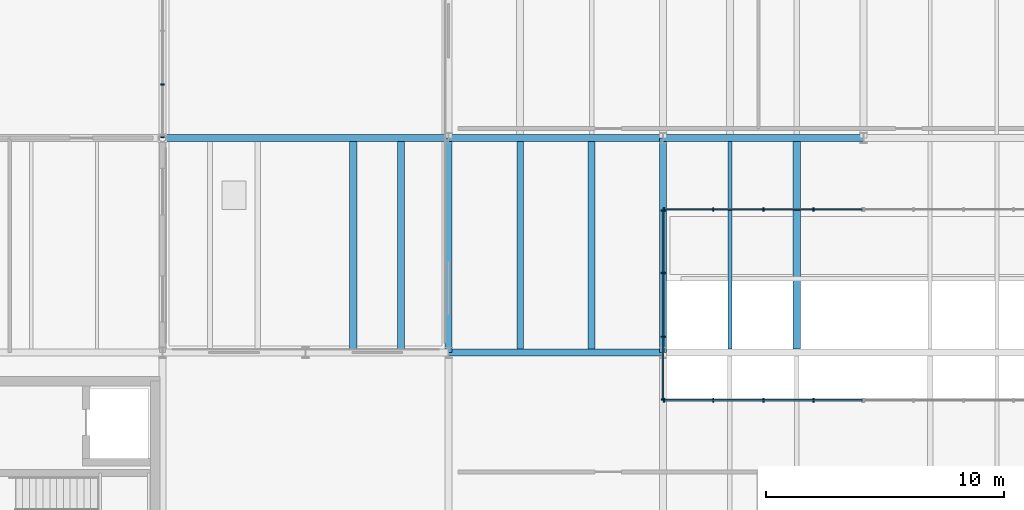
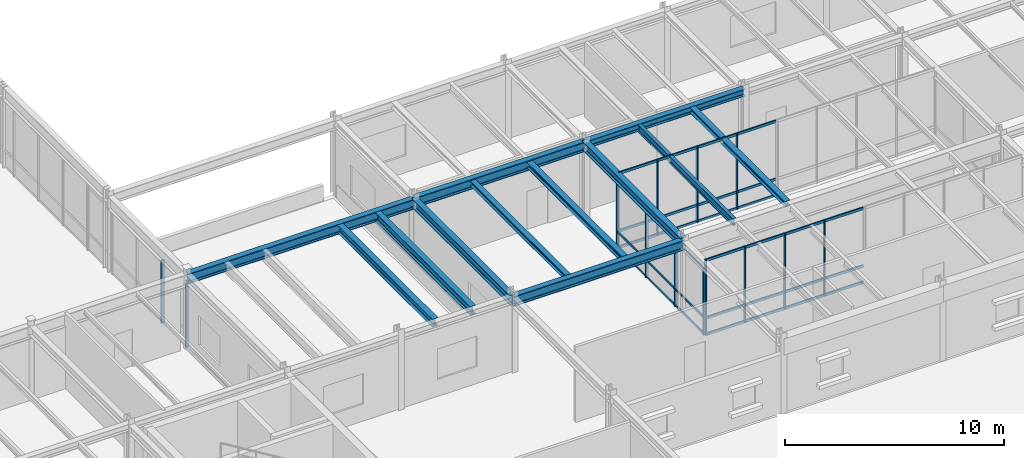
# One storey, part 22 of 64: 23 members, 12 beams, 4 elements without a shape of their own.
"""IFC4 building model written with IfcOpenShell, lengths in metres."""

from ifc_helpers import new_model, si_unit, direction, frame, origin, origin_2d, place, context, subcontext, project, spatial, rectangle, i_section, extrude, material, layer, layer_set, material_profile, profile_set, type_object, element, aggregate, save


model = new_model("IFC4")

# Units and contexts
model_context = context("Model", 3, precision=1e-05, world=origin(), true_north=direction((0.0, 1.0)))
body_context = subcontext(model_context, "Body", "Model", "MODEL_VIEW")
ifc_project = project(units=[si_unit("LENGTHUNIT", "METRE"), si_unit("AREAUNIT", "SQUARE_METRE"), si_unit("VOLUMEUNIT", "CUBIC_METRE"), si_unit("PLANEANGLEUNIT", "RADIAN"), si_unit("MASSUNIT", "GRAM", prefix="KILO")], contexts=[model_context])

# Site, building, storey
site_placement = place(None, origin())
site = spatial("IfcSite", under=ifc_project, at=site_placement, CompositionType="ELEMENT")
building_placement = place(site_placement, origin())
building = spatial("IfcBuilding", under=site, at=building_placement, Name="Montealbar Specialist Clinic", CompositionType="ELEMENT")
storey_placement = place(building_placement, frame((0.0, 0.0, 5.10009765625)))
storey = spatial("IfcBuildingStorey", under=building, at=storey_placement, Name="L01", CompositionType="ELEMENT", Elevation=5.10009765625)

# Beams
ifc_material_1 = material(Name="Steel S355", Category="steel")
ifc_material_profile_1 = material_profile(ifc_material_1, i_section(OverallWidth=0.300048828125, OverallDepth=0.39990234375, WebThickness=0.013427734375, FlangeThickness=0.02392578125, FilletRadius=0.027099609375, at=origin_2d()), Name="HEB 400", Category="steel")
ifc_profile_set_1 = profile_set([ifc_material_profile_1], Name="Steel S355")
beam_type_1 = type_object("IfcBeamType", Name="BM-GIRD-HEB400-EXT", PredefinedType="BEAM", material=ifc_profile_set_1)
beam_1_placement = place(storey_placement, frame((120.0, 45.0, 4.02001953125), z_axis=(1.0, 0.0, 0.0), x_axis=(0.0, 1.0, 0.0)))
element("IfcBeam", 1, at=beam_1_placement, inside=storey, type_object=beam_type_1, Name="Beam GX-L01-1200-1284-450", PredefinedType="BEAM", context=body_context, shape_type="SweptSolid", body=[
    extrude(i_section(OverallWidth=0.300048828125, OverallDepth=0.39990234375, WebThickness=0.013427734375, FlangeThickness=0.02392578125, FilletRadius=0.027099609375, at=origin_2d()), origin(), (0.0, 0.0, 1.0), 8.39990234375),
])
ifc_material_profile_2 = material_profile(ifc_material_1, i_section(OverallWidth=0.300048828125, OverallDepth=0.5, WebThickness=0.014404296875, FlangeThickness=0.028076171875, FilletRadius=0.027099609375, at=origin_2d()), Name="HEB 500", Category="steel")
ifc_profile_set_2 = profile_set([ifc_material_profile_2], Name="Steel S355")
beam_type_2 = type_object("IfcBeamType", Name="BM-GIRD-HEB500", PredefinedType="BEAM", material=ifc_profile_set_2)
beam_2_placement = place(storey_placement, frame((111.0, 36.0, 3.929931640625), z_axis=(0.0, 1.0, 0.0), x_axis=(-1.0, 0.0, 0.0)))
element("IfcBeam", 2, at=beam_2_placement, inside=storey, type_object=beam_type_2, Name="Beam GY-L01-1110-360-450", PredefinedType="BEAM", context=body_context, shape_type="SweptSolid", body=[
    extrude(i_section(OverallWidth=0.300048828125, OverallDepth=0.5, WebThickness=0.014404296875, FlangeThickness=0.028076171875, FilletRadius=0.027099609375, at=origin_2d()), origin(), (0.0, 0.0, 1.0), 9.0),
])
ifc_material_profile_3 = material_profile(ifc_material_1, i_section(OverallWidth=0.300048828125, OverallDepth=0.5, WebThickness=0.014404296875, FlangeThickness=0.028076171875, FilletRadius=0.027099609375, at=origin_2d()), Name="HEB 500", Category="steel")
ifc_profile_set_3 = profile_set([ifc_material_profile_3], Name="Steel S355")
beam_type_3 = type_object("IfcBeamType", Name="BM-GIRD-HEB500-EXT", PredefinedType="BEAM", material=ifc_profile_set_3)
beam_3_placement = place(storey_placement, frame((120.0, 36.0, 3.97998046875), z_axis=(0.0, 1.0, 0.0), x_axis=(-1.0, 0.0, 0.0)))
element("IfcBeam", 3, at=beam_3_placement, inside=storey, type_object=beam_type_3, Name="Beam GY-L01-1200-360-450", PredefinedType="BEAM", context=body_context, shape_type="SweptSolid", body=[
    extrude(i_section(OverallWidth=0.300048828125, OverallDepth=0.5, WebThickness=0.014404296875, FlangeThickness=0.028076171875, FilletRadius=0.027099609375, at=origin_2d()), origin(), (0.0, 0.0, 1.0), 9.0),
])
ifc_material_profile_4 = material_profile(ifc_material_1, i_section(OverallWidth=0.300048828125, OverallDepth=0.550048828125, WebThickness=0.014892578125, FlangeThickness=0.029052734375, FilletRadius=0.027099609375, at=origin_2d()), Name="HEB 550", Category="steel")
ifc_profile_set_4 = profile_set([ifc_material_profile_4], Name="Steel S355")
beam_type_4 = type_object("IfcBeamType", Name="BM-GIRD-HEB550", PredefinedType="BEAM", material=ifc_profile_set_4)
beam_4_placement = place(storey_placement, frame((111.0, 36.0, 3.90478515625), z_axis=(1.0, 0.0, 0.0), x_axis=(0.0, 1.0, 0.0)))
element("IfcBeam", 4, at=beam_4_placement, inside=storey, type_object=beam_type_4, Name="Beam GX-L01-1110-1200-360", PredefinedType="BEAM", context=body_context, shape_type="SweptSolid", body=[
    extrude(i_section(OverallWidth=0.300048828125, OverallDepth=0.550048828125, WebThickness=0.014892578125, FlangeThickness=0.029052734375, FilletRadius=0.027099609375, at=origin_2d()), origin(), (0.0, 0.0, 1.0), 9.0),
])
ifc_material_profile_5 = material_profile(ifc_material_1, i_section(OverallWidth=0.300048828125, OverallDepth=0.550048828125, WebThickness=0.014892578125, FlangeThickness=0.029052734375, FilletRadius=0.027099609375, at=origin_2d()), Name="HEB 550", Category="steel")
ifc_profile_set_5 = profile_set([ifc_material_profile_5], Name="Steel S355")
beam_type_5 = type_object("IfcBeamType", Name="BM-GIRD-HEB550-EXT", PredefinedType="BEAM", material=ifc_profile_set_5)
beam_5_placement = place(storey_placement, frame((99.0, 45.0, 3.90478515625), z_axis=(1.0, 0.0, 0.0), x_axis=(0.0, 1.0, 0.0)))
element("IfcBeam", 5, at=beam_5_placement, inside=storey, type_object=beam_type_5, Name="Beam GX-L01-990-1110-450", PredefinedType="BEAM", context=body_context, shape_type="SweptSolid", body=[
    extrude(i_section(OverallWidth=0.300048828125, OverallDepth=0.550048828125, WebThickness=0.014892578125, FlangeThickness=0.029052734375, FilletRadius=0.027099609375, at=origin_2d()), origin(), (0.0, 0.0, 1.0), 12.0),
])
beam_6_placement = place(storey_placement, frame((111.0, 45.0, 3.954833984375), z_axis=(1.0, 0.0, 0.0), x_axis=(0.0, 1.0, 0.0)))
element("IfcBeam", 6, at=beam_6_placement, inside=storey, type_object=beam_type_5, Name="Beam GX-L01-1110-1200-450", PredefinedType="BEAM", context=body_context, shape_type="SweptSolid", body=[
    extrude(i_section(OverallWidth=0.300048828125, OverallDepth=0.550048828125, WebThickness=0.014892578125, FlangeThickness=0.029052734375, FilletRadius=0.027099609375, at=origin_2d()), origin(), (0.0, 0.0, 1.0), 9.0),
])
ifc_material_profile_6 = material_profile(ifc_material_1, i_section(OverallWidth=0.300048828125, OverallDepth=0.43994140625, WebThickness=0.011474609375, FlangeThickness=0.02099609375, FilletRadius=0.027099609375, at=origin_2d()), Name="HEA 450", Category="steel")
ifc_profile_set_6 = profile_set([ifc_material_profile_6], Name="Steel S355")
beam_type_6 = type_object("IfcBeamType", Name="BM-JST-HEA450", PredefinedType="JOIST", material=ifc_profile_set_6)
beam_7_placement = place(storey_placement, frame((107.0, 36.14990234375, 3.9599609375), z_axis=(0.0, 1.0, 0.0), x_axis=(-1.0, 0.0, 0.0)))
element("IfcBeam", 7, at=beam_7_placement, inside=storey, type_object=beam_type_6, Name="Beam JST-L01-1070-362-448", PredefinedType="JOIST", context=body_context, shape_type="SweptSolid", body=[
    extrude(i_section(OverallWidth=0.300048828125, OverallDepth=0.43994140625, WebThickness=0.011474609375, FlangeThickness=0.02099609375, FilletRadius=0.027099609375, at=origin_2d()), origin(), (0.0, 0.0, 1.0), 8.7001953125),
])
ifc_material_profile_7 = material_profile(ifc_material_1, i_section(OverallWidth=0.300048828125, OverallDepth=0.489990234375, WebThickness=0.011962890625, FlangeThickness=0.02294921875, FilletRadius=0.027099609375, at=origin_2d()), Name="HEA 500", Category="steel")
ifc_profile_set_7 = profile_set([ifc_material_profile_7], Name="Steel S355")
beam_type_7 = type_object("IfcBeamType", Name="BM-JST-HEA500", PredefinedType="JOIST", material=ifc_profile_set_7)
beam_8_placement = place(storey_placement, frame((109.0, 36.14990234375, 3.934814453125), z_axis=(0.0, 1.0, 0.0), x_axis=(-1.0, 0.0, 0.0)))
element("IfcBeam", 8, at=beam_8_placement, inside=storey, type_object=beam_type_7, Name="Beam JST-L01-1090-362-448", PredefinedType="JOIST", context=body_context, shape_type="SweptSolid", body=[
    extrude(i_section(OverallWidth=0.300048828125, OverallDepth=0.489990234375, WebThickness=0.011962890625, FlangeThickness=0.02294921875, FilletRadius=0.027099609375, at=origin_2d()), origin(), (0.0, 0.0, 1.0), 8.7001953125),
])
ifc_material_profile_8 = material_profile(ifc_material_1, i_section(OverallWidth=0.280029296875, OverallDepth=0.280029296875, WebThickness=0.010498046875, FlangeThickness=0.01806640625, FilletRadius=0.02392578125, at=origin_2d()), Name="HEB 280", Category="steel")
ifc_profile_set_8 = profile_set([ifc_material_profile_8], Name="Steel S355")
beam_type_8 = type_object("IfcBeamType", Name="BM-JST-HEB280", PredefinedType="JOIST", material=ifc_profile_set_8)
beam_9_placement = place(storey_placement, frame((114.0, 36.14990234375, 4.039794921875), z_axis=(0.0, 1.0, 0.0), x_axis=(-1.0, 0.0, 0.0)))
element("IfcBeam", 9, at=beam_9_placement, inside=storey, type_object=beam_type_8, Name="Beam JST-L01-1140-362-448", PredefinedType="JOIST", context=body_context, shape_type="SweptSolid", body=[
    extrude(i_section(OverallWidth=0.280029296875, OverallDepth=0.280029296875, WebThickness=0.010498046875, FlangeThickness=0.01806640625, FilletRadius=0.02392578125, at=origin_2d()), origin(), (0.0, 0.0, 1.0), 8.7001953125),
])
ifc_material_profile_9 = material_profile(ifc_material_1, i_section(OverallWidth=0.300048828125, OverallDepth=0.320068359375, WebThickness=0.011474609375, FlangeThickness=0.0205078125, FilletRadius=0.027099609375, at=origin_2d()), Name="HEB 320", Category="steel")
ifc_profile_set_9 = profile_set([ifc_material_profile_9], Name="Steel S355")
beam_type_9 = type_object("IfcBeamType", Name="BM-JST-HEB320", PredefinedType="JOIST", material=ifc_profile_set_9)
beam_10_placement = place(storey_placement, frame((117.0, 36.14990234375, 4.02001953125), z_axis=(0.0, 1.0, 0.0), x_axis=(-1.0, 0.0, 0.0)))
element("IfcBeam", 10, at=beam_10_placement, inside=storey, type_object=beam_type_9, Name="Beam JST-L01-1170-362-448", PredefinedType="JOIST", context=body_context, shape_type="SweptSolid", body=[
    extrude(i_section(OverallWidth=0.300048828125, OverallDepth=0.320068359375, WebThickness=0.011474609375, FlangeThickness=0.0205078125, FilletRadius=0.027099609375, at=origin_2d()), origin(), (0.0, 0.0, 1.0), 8.7001953125),
])
ifc_material_profile_10 = material_profile(ifc_material_1, i_section(OverallWidth=0.179931640625, OverallDepth=0.39990234375, WebThickness=0.008544921875, FlangeThickness=0.013427734375, FilletRadius=0.02099609375, at=origin_2d()), Name="IPE 400", Category="steel")
ifc_profile_set_10 = profile_set([ifc_material_profile_10], Name="Steel S355")
beam_type_10 = type_object("IfcBeamType", Name="BM-SEC-IPE400", PredefinedType="BEAM", material=ifc_profile_set_10)
beam_11_placement = place(storey_placement, frame((122.800048828125, 36.14990234375, 4.02978515625), z_axis=(0.0, 1.0, 0.0), x_axis=(-1.0, 0.0, 0.0)))
element("IfcBeam", 11, at=beam_11_placement, inside=storey, type_object=beam_type_10, Name="Beam JST-L01-1228-362-448", PredefinedType="BEAM", context=body_context, shape_type="SweptSolid", body=[
    extrude(i_section(OverallWidth=0.179931640625, OverallDepth=0.39990234375, WebThickness=0.008544921875, FlangeThickness=0.013427734375, FilletRadius=0.02099609375, at=origin_2d()), origin(), (0.0, 0.0, 1.0), 8.7001953125),
])
ifc_material_profile_11 = material_profile(ifc_material_1, i_section(OverallWidth=0.300048828125, OverallDepth=0.2900390625, WebThickness=0.008544921875, FlangeThickness=0.013916015625, FilletRadius=0.027099609375, at=origin_2d()), Name="HEA 300", Category="steel")
ifc_profile_set_11 = profile_set([ifc_material_profile_11], Name="Steel S355")
beam_type_11 = type_object("IfcBeamType", Name="BM-SPAND-HEA300", PredefinedType="SPANDREL", material=ifc_profile_set_11)
beam_12_placement = place(storey_placement, frame((125.60009765625, 36.14990234375, 4.0849609375), z_axis=(0.0, 1.0, 0.0), x_axis=(-1.0, 0.0, 0.0)))
element("IfcBeam", 12, at=beam_12_placement, inside=storey, type_object=beam_type_11, Name="Beam JST-L01-1256-362-448", PredefinedType="SPANDREL", context=body_context, shape_type="SweptSolid", body=[
    extrude(i_section(OverallWidth=0.300048828125, OverallDepth=0.2900390625, WebThickness=0.008544921875, FlangeThickness=0.013916015625, FilletRadius=0.027099609375, at=origin_2d()), origin(), (0.0, 0.0, 1.0), 8.7001953125),
])

# Curtain wall, members
ifc_material_2 = material(Name="Low-E double glazing", Category="glass")
ifc_layer_1 = layer(ifc_material_2, 0.199951171875, Name="Low-E double glazing", Category="glass")
ifc_layer_set_1 = layer_set([ifc_layer_1], Name="Low-E double glazing")
curtain_wall_type_1 = type_object("IfcCurtainWallType", Name="CW-TYPE-07", PredefinedType="NOTDEFINED", material=ifc_layer_set_1)
curtain_wall_1_placement = place(storey_placement, origin())
curtain_wall_1 = element("IfcCurtainWall", 13, at=curtain_wall_1_placement, inside=storey, type_object=curtain_wall_type_1, Name="Unitised Curtain Wall CW-L01-990-540-990-450-51", PredefinedType="NOTDEFINED")
ifc_material_3 = material(Name="Anodised aluminium EN AW-6063", Category="aluminium")
ifc_material_profile_12 = material_profile(ifc_material_3, rectangle(XDim=0.06005859375, YDim=0.159912109375, at=origin_2d()), Name="ALU 60x160", Category="aluminium")
ifc_profile_set_12 = profile_set([ifc_material_profile_12], Name="Anodised aluminium EN AW-6063")
member_type_1 = type_object("IfcMemberType", Name="CW-MUL-160", PredefinedType="MULLION", material=ifc_profile_set_12)
member_1_placement = place(storey_placement, frame((99.0, 47.25, 0.0), z_axis=(0.0, 0.0, 1.0), x_axis=(0.0, -1.0, 0.0)))
member_1 = element("IfcMember", 14, at=member_1_placement, type_object=member_type_1, Name="Curtain Wall Mullion CW-L01-990-540-990-450-51-03", PredefinedType="MULLION", context=body_context, shape_type="SweptSolid", body=[
    extrude(rectangle(XDim=0.06005859375, YDim=0.159912109375, at=origin_2d()), origin(), (0.0, 0.0, 1.0), 3.52978515625),
])
member_2_placement = place(storey_placement, frame((99.0, 45.034912109375, 0.0), z_axis=(0.0, 0.0, 1.0), x_axis=(0.0, -1.0, 0.0)))
member_2 = element("IfcMember", 15, at=member_2_placement, type_object=member_type_1, Name="Curtain Wall Mullion CW-L01-990-540-990-450-51-04", PredefinedType="MULLION", context=body_context, shape_type="SweptSolid", body=[
    extrude(rectangle(XDim=0.06005859375, YDim=0.159912109375, at=origin_2d()), origin(), (0.0, 0.0, 1.0), 3.52978515625),
])
aggregate(curtain_wall_1, [member_1, member_2])

ifc_layer_2 = layer(ifc_material_2, 0.199951171875, Name="Low-E double glazing", Category="glass")
ifc_layer_set_2 = layer_set([ifc_layer_2], Name="Low-E double glazing")
curtain_wall_type_2 = type_object("IfcCurtainWallType", Name="CW-TYPE-09", PredefinedType="NOTDEFINED", material=ifc_layer_set_2)
curtain_wall_2_placement = place(storey_placement, origin())
curtain_wall_2 = element("IfcCurtainWall", 16, at=curtain_wall_2_placement, inside=storey, type_object=curtain_wall_type_2, Name="Unitised Curtain Wall CW-L01-1200-420-1200-340-51", PredefinedType="NOTDEFINED")
member_3_placement = place(storey_placement, frame((120.0, 41.965087890625, 0.0), z_axis=(0.0, 0.0, 1.0), x_axis=(0.0, -1.0, 0.0)))
member_3 = element("IfcMember", 17, at=member_3_placement, type_object=member_type_1, Name="Curtain Wall Mullion CW-L01-1200-420-1200-340-51-00", PredefinedType="MULLION", context=body_context, shape_type="SweptSolid", body=[
    extrude(rectangle(XDim=0.06005859375, YDim=0.159912109375, at=origin_2d()), origin(), (0.0, 0.0, 1.0), 3.679931640625),
])
member_4_placement = place(storey_placement, frame((120.0, 39.3330078125, 0.0), z_axis=(0.0, 0.0, 1.0), x_axis=(0.0, -1.0, 0.0)))
member_4 = element("IfcMember", 18, at=member_4_placement, type_object=member_type_1, Name="Curtain Wall Mullion CW-L01-1200-420-1200-340-51-01", PredefinedType="MULLION", context=body_context, shape_type="SweptSolid", body=[
    extrude(rectangle(XDim=0.06005859375, YDim=0.159912109375, at=origin_2d()), origin(), (0.0, 0.0, 1.0), 3.679931640625),
])
member_5_placement = place(storey_placement, frame((120.0, 36.6669921875, 0.0), z_axis=(0.0, 0.0, 1.0), x_axis=(0.0, -1.0, 0.0)))
member_5 = element("IfcMember", 19, at=member_5_placement, type_object=member_type_1, Name="Curtain Wall Mullion CW-L01-1200-420-1200-340-51-02", PredefinedType="MULLION", context=body_context, shape_type="SweptSolid", body=[
    extrude(rectangle(XDim=0.06005859375, YDim=0.159912109375, at=origin_2d()), origin(), (0.0, 0.0, 1.0), 3.679931640625),
])
member_6_placement = place(storey_placement, frame((120.0, 34.034912109375, 0.0), z_axis=(0.0, 0.0, 1.0), x_axis=(0.0, -1.0, 0.0)))
member_6 = element("IfcMember", 20, at=member_6_placement, type_object=member_type_1, Name="Curtain Wall Mullion CW-L01-1200-420-1200-340-51-03", PredefinedType="MULLION", context=body_context, shape_type="SweptSolid", body=[
    extrude(rectangle(XDim=0.06005859375, YDim=0.159912109375, at=origin_2d()), origin(), (0.0, 0.0, 1.0), 3.679931640625),
])

ifc_layer_3 = layer(ifc_material_2, 0.199951171875, Name="Low-E double glazing", Category="glass")
ifc_layer_set_3 = layer_set([ifc_layer_3], Name="Low-E double glazing")
curtain_wall_type_3 = type_object("IfcCurtainWallType", Name="CW-TYPE-10", PredefinedType="NOTDEFINED", material=ifc_layer_set_3)
curtain_wall_3_placement = place(storey_placement, origin())
curtain_wall_3 = element("IfcCurtainWall", 21, at=curtain_wall_3_placement, inside=storey, type_object=curtain_wall_type_3, Name="Unitised Curtain Wall CW-L01-1200-340-1284-340-51", PredefinedType="NOTDEFINED")
member_7_placement = place(storey_placement, frame((120.034912109375, 34.0, 0.0), z_axis=(0.0, 0.0, 1.0), x_axis=(1.0, 0.0, 0.0)))
member_7 = element("IfcMember", 22, at=member_7_placement, type_object=member_type_1, Name="Curtain Wall Mullion CW-L01-1200-340-1284-340-51-00", PredefinedType="MULLION", context=body_context, shape_type="SweptSolid", body=[
    extrude(rectangle(XDim=0.06005859375, YDim=0.159912109375, at=origin_2d()), origin(), (0.0, 0.0, 1.0), 4.2099609375),
])
member_8_placement = place(storey_placement, frame((122.10009765625, 34.0, 0.0), z_axis=(0.0, 0.0, 1.0), x_axis=(1.0, 0.0, 0.0)))
member_8 = element("IfcMember", 23, at=member_8_placement, type_object=member_type_1, Name="Curtain Wall Mullion CW-L01-1200-340-1284-340-51-01", PredefinedType="MULLION", context=body_context, shape_type="SweptSolid", body=[
    extrude(rectangle(XDim=0.06005859375, YDim=0.159912109375, at=origin_2d()), origin(), (0.0, 0.0, 1.0), 4.2099609375),
])
member_9_placement = place(storey_placement, frame((124.199951171875, 34.0, 0.0), z_axis=(0.0, 0.0, 1.0), x_axis=(1.0, 0.0, 0.0)))
member_9 = element("IfcMember", 24, at=member_9_placement, type_object=member_type_1, Name="Curtain Wall Mullion CW-L01-1200-340-1284-340-51-02", PredefinedType="MULLION", context=body_context, shape_type="SweptSolid", body=[
    extrude(rectangle(XDim=0.06005859375, YDim=0.159912109375, at=origin_2d()), origin(), (0.0, 0.0, 1.0), 4.2099609375),
])
member_10_placement = place(storey_placement, frame((126.300048828125, 34.0, 0.0), z_axis=(0.0, 0.0, 1.0), x_axis=(1.0, 0.0, 0.0)))
member_10 = element("IfcMember", 25, at=member_10_placement, type_object=member_type_1, Name="Curtain Wall Mullion CW-L01-1200-340-1284-340-51-03", PredefinedType="MULLION", context=body_context, shape_type="SweptSolid", body=[
    extrude(rectangle(XDim=0.06005859375, YDim=0.159912109375, at=origin_2d()), origin(), (0.0, 0.0, 1.0), 4.2099609375),
])

curtain_wall_4_placement = place(storey_placement, origin())
curtain_wall_4 = element("IfcCurtainWall", 26, at=curtain_wall_4_placement, inside=storey, type_object=curtain_wall_type_3, Name="Unitised Curtain Wall CW-L01-1284-420-1200-420-51", PredefinedType="NOTDEFINED")
member_11_placement = place(storey_placement, frame((126.300048828125, 42.0, 0.0), z_axis=(0.0, 0.0, 1.0), x_axis=(-1.0, 0.0, 0.0)))
member_11 = element("IfcMember", 27, at=member_11_placement, type_object=member_type_1, Name="Curtain Wall Mullion CW-L01-1284-420-1200-420-51-01", PredefinedType="MULLION", context=body_context, shape_type="SweptSolid", body=[
    extrude(rectangle(XDim=0.06005859375, YDim=0.159912109375, at=origin_2d()), origin(), (0.0, 0.0, 1.0), 4.2099609375),
])
member_12_placement = place(storey_placement, frame((124.199951171875, 42.0, 0.0), z_axis=(0.0, 0.0, 1.0), x_axis=(-1.0, 0.0, 0.0)))
member_12 = element("IfcMember", 28, at=member_12_placement, type_object=member_type_1, Name="Curtain Wall Mullion CW-L01-1284-420-1200-420-51-02", PredefinedType="MULLION", context=body_context, shape_type="SweptSolid", body=[
    extrude(rectangle(XDim=0.06005859375, YDim=0.159912109375, at=origin_2d()), origin(), (0.0, 0.0, 1.0), 4.2099609375),
])
member_13_placement = place(storey_placement, frame((122.10009765625, 42.0, 0.0), z_axis=(0.0, 0.0, 1.0), x_axis=(-1.0, 0.0, 0.0)))
member_13 = element("IfcMember", 29, at=member_13_placement, type_object=member_type_1, Name="Curtain Wall Mullion CW-L01-1284-420-1200-420-51-03", PredefinedType="MULLION", context=body_context, shape_type="SweptSolid", body=[
    extrude(rectangle(XDim=0.06005859375, YDim=0.159912109375, at=origin_2d()), origin(), (0.0, 0.0, 1.0), 4.2099609375),
])
member_14_placement = place(storey_placement, frame((120.034912109375, 42.0, 0.0), z_axis=(0.0, 0.0, 1.0), x_axis=(-1.0, 0.0, 0.0)))
member_14 = element("IfcMember", 30, at=member_14_placement, type_object=member_type_1, Name="Curtain Wall Mullion CW-L01-1284-420-1200-420-51-04", PredefinedType="MULLION", context=body_context, shape_type="SweptSolid", body=[
    extrude(rectangle(XDim=0.06005859375, YDim=0.159912109375, at=origin_2d()), origin(), (0.0, 0.0, 1.0), 4.2099609375),
])

# Member
ifc_material_4 = material(Name="Powder-coated aluminium", Category="aluminium")
ifc_material_profile_13 = material_profile(ifc_material_4, rectangle(XDim=0.06005859375, YDim=0.1201171875, at=origin_2d()), Name="ALU 60x120", Category="aluminium")
ifc_profile_set_13 = profile_set([ifc_material_profile_13], Name="Powder-coated aluminium")
member_type_2 = type_object("IfcMemberType", Name="CW-TRN-120", PredefinedType="USERDEFINED", material=ifc_profile_set_13)
member_15_placement = place(storey_placement, frame((120.0, 41.949951171875, 0.039794921875), z_axis=(0.0, -1.0, 0.0), x_axis=(1.0, 0.0, 0.0)))
member_15 = element("IfcMember", 31, at=member_15_placement, type_object=member_type_2, Name="Curtain Wall Transom CW-L01-1200-420-1200-340-51-00", ObjectType="TRANSOM", PredefinedType="USERDEFINED", context=body_context, shape_type="SweptSolid", body=[
    extrude(rectangle(XDim=0.06005859375, YDim=0.1201171875, at=origin_2d()), origin(), (0.0, 0.0, 1.0), 7.89990234375),
])

member_16_placement = place(storey_placement, frame((120.0, 41.949951171875, 0.949951171875), z_axis=(0.0, -1.0, 0.0), x_axis=(1.0, 0.0, 0.0)))
member_16 = element("IfcMember", 32, at=member_16_placement, type_object=member_type_2, Name="Curtain Wall Transom CW-L01-1200-420-1200-340-51-01", ObjectType="TRANSOM", PredefinedType="USERDEFINED", context=body_context, shape_type="SweptSolid", body=[
    extrude(rectangle(XDim=0.06005859375, YDim=0.1201171875, at=origin_2d()), origin(), (0.0, 0.0, 1.0), 7.89990234375),
])

member_17_placement = place(storey_placement, frame((120.0, 41.949951171875, 3.639892578125), z_axis=(0.0, -1.0, 0.0), x_axis=(1.0, 0.0, 0.0)))
member_17 = element("IfcMember", 33, at=member_17_placement, type_object=member_type_2, Name="Curtain Wall Transom CW-L01-1200-420-1200-340-51-02", ObjectType="TRANSOM", PredefinedType="USERDEFINED", context=body_context, shape_type="SweptSolid", body=[
    extrude(rectangle(XDim=0.06005859375, YDim=0.1201171875, at=origin_2d()), origin(), (0.0, 0.0, 1.0), 7.89990234375),
])

aggregate(curtain_wall_2, [member_3, member_4, member_5, member_6, member_15, member_16, member_17])

ifc_material_profile_14 = material_profile(ifc_material_4, rectangle(XDim=0.070068359375, YDim=0.139892578125, at=origin_2d()), Name="ALU 70x140", Category="aluminium")
ifc_profile_set_14 = profile_set([ifc_material_profile_14], Name="Powder-coated aluminium")
member_type_3 = type_object("IfcMemberType", Name="CW-TRN-140", PredefinedType="USERDEFINED", material=ifc_profile_set_14)
member_18_placement = place(storey_placement, frame((120.050048828125, 34.0, 0.039794921875), z_axis=(1.0, 0.0, 0.0), x_axis=(0.0, 1.0, 0.0)))
member_18 = element("IfcMember", 34, at=member_18_placement, type_object=member_type_3, Name="Curtain Wall Transom CW-L01-1200-340-1284-340-51-00", ObjectType="TRANSOM", PredefinedType="USERDEFINED", context=body_context, shape_type="SweptSolid", body=[
    extrude(rectangle(XDim=0.070068359375, YDim=0.139892578125, at=origin_2d()), origin(), (0.0, 0.0, 1.0), 8.300048828125),
])

member_19_placement = place(storey_placement, frame((120.050048828125, 34.0, 0.949951171875), z_axis=(1.0, 0.0, 0.0), x_axis=(0.0, 1.0, 0.0)))
member_19 = element("IfcMember", 35, at=member_19_placement, type_object=member_type_3, Name="Curtain Wall Transom CW-L01-1200-340-1284-340-51-01", ObjectType="TRANSOM", PredefinedType="USERDEFINED", context=body_context, shape_type="SweptSolid", body=[
    extrude(rectangle(XDim=0.070068359375, YDim=0.139892578125, at=origin_2d()), origin(), (0.0, 0.0, 1.0), 8.300048828125),
])

member_20_placement = place(storey_placement, frame((120.050048828125, 34.0, 4.169921875), z_axis=(1.0, 0.0, 0.0), x_axis=(0.0, 1.0, 0.0)))
member_20 = element("IfcMember", 36, at=member_20_placement, type_object=member_type_3, Name="Curtain Wall Transom CW-L01-1200-340-1284-340-51-02", ObjectType="TRANSOM", PredefinedType="USERDEFINED", context=body_context, shape_type="SweptSolid", body=[
    extrude(rectangle(XDim=0.070068359375, YDim=0.139892578125, at=origin_2d()), origin(), (0.0, 0.0, 1.0), 8.300048828125),
])

aggregate(curtain_wall_3, [member_7, member_8, member_9, member_10, member_18, member_19, member_20])

member_21_placement = place(storey_placement, frame((128.35009765625, 42.0, 0.039794921875), z_axis=(-1.0, 0.0, 0.0), x_axis=(0.0, -1.0, 0.0)))
member_21 = element("IfcMember", 37, at=member_21_placement, type_object=member_type_3, Name="Curtain Wall Transom CW-L01-1284-420-1200-420-51-00", ObjectType="TRANSOM", PredefinedType="USERDEFINED", context=body_context, shape_type="SweptSolid", body=[
    extrude(rectangle(XDim=0.070068359375, YDim=0.139892578125, at=origin_2d()), origin(), (0.0, 0.0, 1.0), 8.300048828125),
])

member_22_placement = place(storey_placement, frame((128.35009765625, 42.0, 0.949951171875), z_axis=(-1.0, 0.0, 0.0), x_axis=(0.0, -1.0, 0.0)))
member_22 = element("IfcMember", 38, at=member_22_placement, type_object=member_type_3, Name="Curtain Wall Transom CW-L01-1284-420-1200-420-51-01", ObjectType="TRANSOM", PredefinedType="USERDEFINED", context=body_context, shape_type="SweptSolid", body=[
    extrude(rectangle(XDim=0.070068359375, YDim=0.139892578125, at=origin_2d()), origin(), (0.0, 0.0, 1.0), 8.300048828125),
])

member_23_placement = place(storey_placement, frame((128.35009765625, 42.0, 4.169921875), z_axis=(-1.0, 0.0, 0.0), x_axis=(0.0, -1.0, 0.0)))
member_23 = element("IfcMember", 39, at=member_23_placement, type_object=member_type_3, Name="Curtain Wall Transom CW-L01-1284-420-1200-420-51-02", ObjectType="TRANSOM", PredefinedType="USERDEFINED", context=body_context, shape_type="SweptSolid", body=[
    extrude(rectangle(XDim=0.070068359375, YDim=0.139892578125, at=origin_2d()), origin(), (0.0, 0.0, 1.0), 8.300048828125),
])

aggregate(curtain_wall_4, [member_11, member_12, member_13, member_14, member_21, member_22, member_23])

save(model, "model.ifc")
